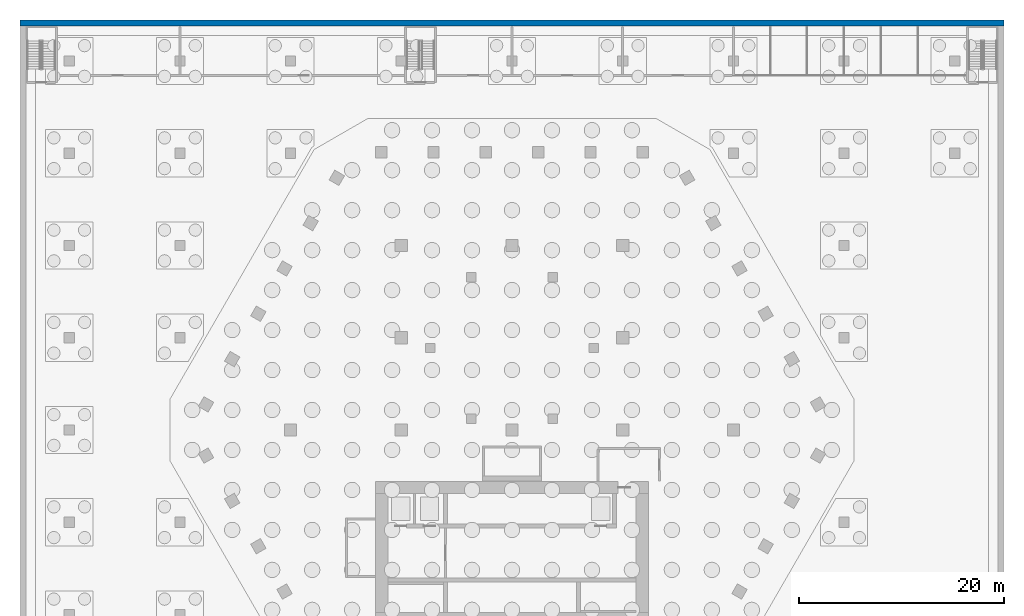
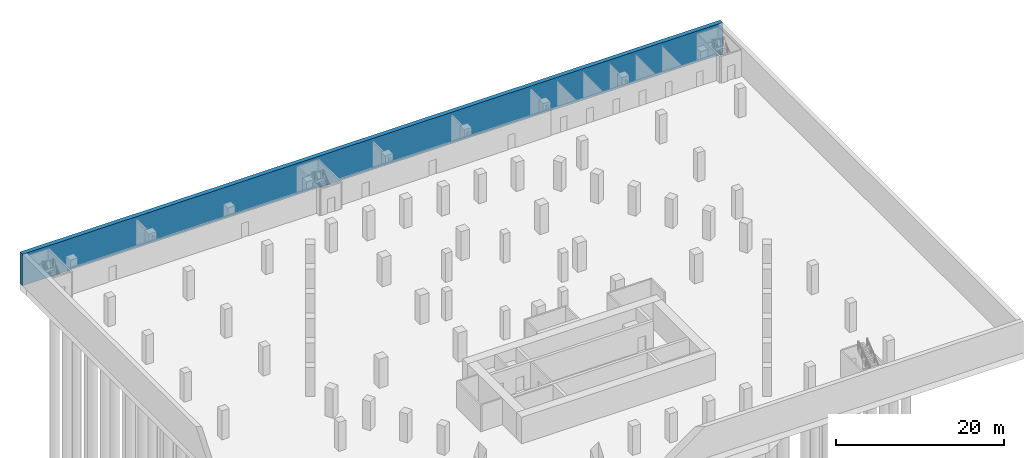
# One storey, part 10 of 21: 1 wall.
"""IFC4 building model written with IfcOpenShell, lengths in metres."""

from ifc_helpers import new_model, si_unit, direction, frame, frame_2d, origin, place, context, subcontext, project, spatial, rectangle, extrude, material, layer, layer_set, type_object, element, save


model = new_model("IFC4")

# Units and contexts
model_context = context("Model", 3, precision=1e-05, world=origin(), true_north=direction((0.0, 1.0)))
body_context = subcontext(model_context, "Body", "Model", "MODEL_VIEW")
ifc_project = project(units=[si_unit("LENGTHUNIT", "METRE"), si_unit("AREAUNIT", "SQUARE_METRE"), si_unit("VOLUMEUNIT", "CUBIC_METRE"), si_unit("PLANEANGLEUNIT", "RADIAN"), si_unit("MASSUNIT", "GRAM", prefix="KILO")], contexts=[model_context])

# Site, building, storey
site_placement = place(None, origin())
site = spatial("IfcSite", under=ifc_project, at=site_placement, CompositionType="ELEMENT")
building_placement = place(site_placement, origin())
building = spatial("IfcBuilding", under=site, at=building_placement, Name="Beryl Residences", CompositionType="ELEMENT")
storey_placement = place(building_placement, frame((0.0, 0.0, -8.39990234375)))
storey = spatial("IfcBuildingStorey", under=building, at=storey_placement, Name="B2", CompositionType="ELEMENT", Elevation=-8.39990234375)

# Wall
ifc_material = material(Name="Concrete C50/60", Category="concrete")
ifc_layer = layer(ifc_material, 0.60009765625)
ifc_layer_set = layer_set([ifc_layer], Name="RW1 basement wall 600 mm C50/60")
wall_type = type_object("IfcWallType", Name="RW1 basement wall 600 mm C50/60", PredefinedType="SOLIDWALL", material=ifc_layer_set)
wall_placement = place(storey_placement, frame((-48.0, 39.699951171875, -0.35009765625), z_axis=(0.0, 0.0, 1.0), x_axis=(1.0, 0.0, 0.0)))
element("IfcWall", 1, at=wall_placement, inside=storey, type_object=wall_type, Name="RW1 B2 N", PredefinedType="SOLIDWALL", context=body_context, shape_type="SweptSolid", body=[
    extrude(rectangle(XDim=96.0, YDim=0.60009765625, at=frame_2d((48.0, 0.0))), origin(), (0.0, 0.0, 1.0), 4.550048828125),
])

save(model, "model.ifc")
